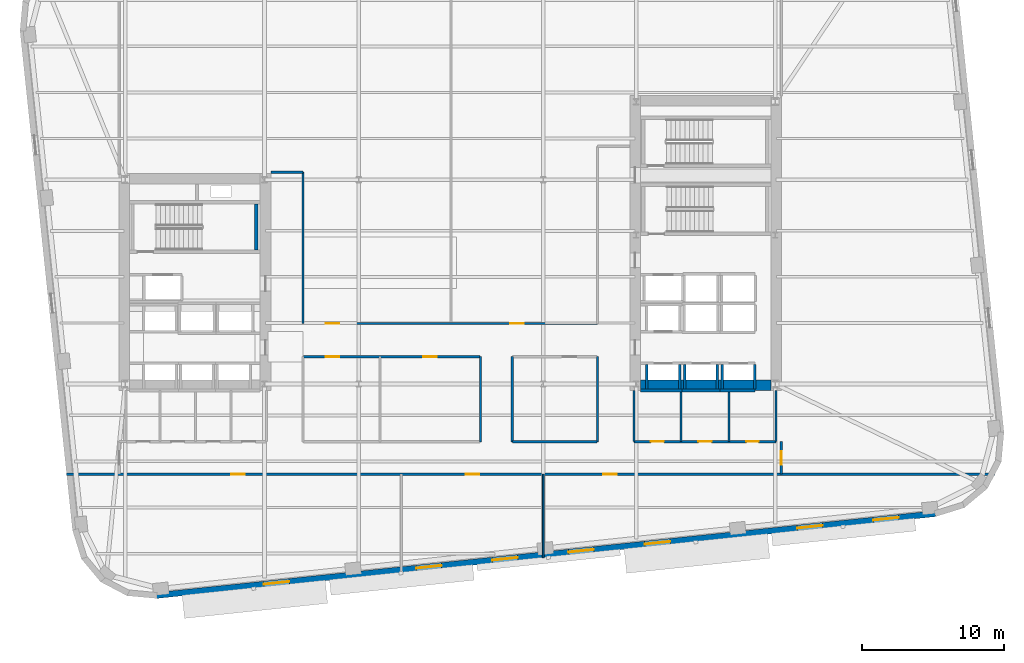
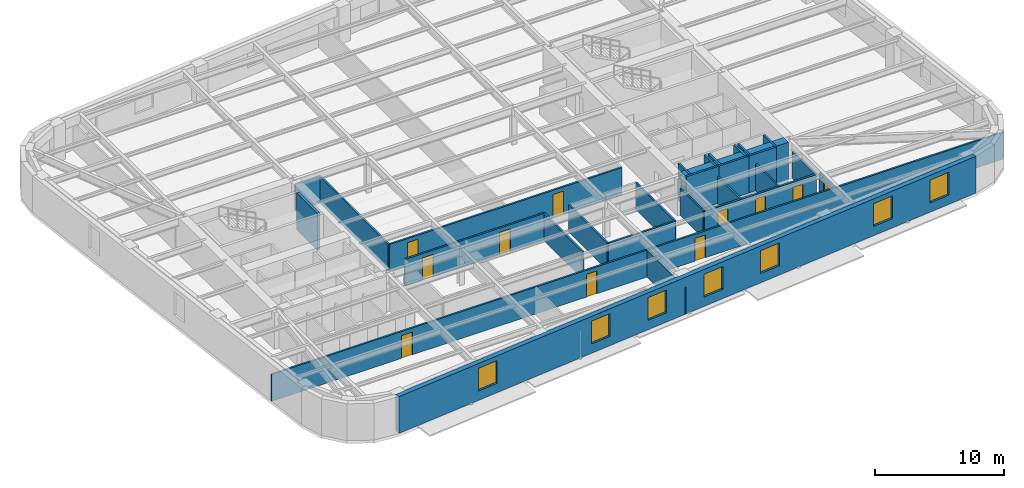
# One storey, part 5 of 12: 28 walls, 11 doors, 7 windows, 18 openings.
"""IFC4 building model written with IfcOpenShell, lengths in metres."""

from ifc_helpers import new_model, si_unit, direction, frame, frame_2d, origin, place, context, subcontext, project, spatial, rectangle, extrude, material, layer, layer_set, type_object, element, fill, save


model = new_model("IFC4")

# Units and contexts
model_context = context("Model", 3, precision=1e-05, world=origin(), true_north=direction((0.0, 1.0)))
body_context = subcontext(model_context, "Body", "Model", "MODEL_VIEW")
ifc_project = project(units=[si_unit("LENGTHUNIT", "METRE"), si_unit("AREAUNIT", "SQUARE_METRE"), si_unit("VOLUMEUNIT", "CUBIC_METRE"), si_unit("PLANEANGLEUNIT", "RADIAN"), si_unit("MASSUNIT", "GRAM", prefix="KILO")], contexts=[model_context])

# Site, building, storey
site_placement = place(None, origin())
site = spatial("IfcSite", under=ifc_project, at=site_placement, CompositionType="ELEMENT")
building_placement = place(site_placement, origin())
building = spatial("IfcBuilding", under=site, at=building_placement, Name="Kolvaren Arena Tower", CompositionType="ELEMENT")
storey_placement = place(building_placement, frame((0.0, 0.0, 110.949951171875)))
storey = spatial("IfcBuildingStorey", under=building, at=storey_placement, Name="L25", CompositionType="ELEMENT", Elevation=110.949951171875)

# Wall, openings, doors
ifc_material_1 = material(Name="Gypsum board acoustic assembly", Category="gypsum")
ifc_layer_1 = layer(ifc_material_1, 0.159912109375)
ifc_layer_set_1 = layer_set([ifc_layer_1], Name="Gypsum board acoustic assembly")
wall_type_1 = type_object("IfcWallType", Name="CORR-160", PredefinedType="PARTITIONING", material=ifc_layer_set_1)
wall_1_placement = place(storey_placement, frame((10.41552734375, 13.10009765625, 0.0), z_axis=(0.0, 0.0, 1.0), x_axis=(1.0, 0.0, 0.0)))
wall_1 = element("IfcWall", 1, at=wall_1_placement, inside=storey, type_object=wall_type_1, Name="Interior Partition Wall (L25)", PredefinedType="PARTITIONING", context=body_context, shape_type="SweptSolid", body=[
    extrude(rectangle(XDim=65.414794921875, YDim=0.159912109375, at=frame_2d((32.70751953125, 0.0))), origin(), (0.0, 0.0, 1.0), 2.5400390625),
])
opening_1_placement = place(wall_1_placement, frame((11.609619140625, 0.0, 0.0)))
opening_1 = element("IfcOpeningElement", 2, at=opening_1_placement, cuts=wall_1, Name="Opening D05", PredefinedType="OPENING", context=body_context, shape_type="SweptSolid", body=[
    extrude(rectangle(XDim=0.949951171875, YDim=2.14990234375, at=frame_2d((0.47509765625, 1.074951171875))), frame((0.0, 0.08984375, 0.0), z_axis=(0.0, -1.0, 0.0), x_axis=(1.0, 0.0, 0.0)), (0.0, 0.0, 1.0), 0.179931640625),
])
opening_2_placement = place(wall_1_placement, frame((28.109619140625, 0.0, 0.0)))
opening_2 = element("IfcOpeningElement", 3, at=opening_2_placement, cuts=wall_1, Name="Opening D05", PredefinedType="OPENING", context=body_context, shape_type="SweptSolid", body=[
    extrude(rectangle(XDim=0.949951171875, YDim=2.14990234375, at=frame_2d((0.47509765625, 1.074951171875))), frame((0.0, 0.08984375, 0.0), z_axis=(0.0, -1.0, 0.0), x_axis=(1.0, 0.0, 0.0)), (0.0, 0.0, 1.0), 0.179931640625),
])
opening_3_placement = place(wall_1_placement, frame((37.8095703125, 0.0, 0.0)))
opening_3 = element("IfcOpeningElement", 4, at=opening_3_placement, cuts=wall_1, Name="Opening D05", PredefinedType="OPENING", context=body_context, shape_type="SweptSolid", body=[
    extrude(rectangle(XDim=0.949951171875, YDim=2.14990234375, at=frame_2d((0.47509765625, 1.074951171875))), frame((0.0, 0.08984375, 0.0), z_axis=(0.0, -1.0, 0.0), x_axis=(1.0, 0.0, 0.0)), (0.0, 0.0, 1.0), 0.179931640625),
])
ifc_material_2 = material(Name="Solid-core oak acoustic office door", Category="wood")
door_type_1 = type_object("IfcDoorType", Name="DOOR-OF-095", OperationType="NOTDEFINED", PredefinedType="DOOR", material=ifc_material_2)
door_1_placement = place(opening_1_placement, origin())
door_1 = element("IfcDoor", 5, at=door_1_placement, inside=storey, type_object=door_type_1, Name="Open Plan Office Door (L25)", OperationType="SINGLE_SWING_LEFT", OverallHeight=2.14990234375, OverallWidth=0.949951171875, PredefinedType="DOOR", context=body_context, shape_type="SweptSolid", body=[
    extrude(rectangle(XDim=0.949951171875, YDim=2.14990234375, at=frame_2d((0.47509765625, 1.074951171875))), frame((0.0, 0.02490234375, 0.0), z_axis=(0.0, -1.0, 0.0), x_axis=(1.0, 0.0, 0.0)), (0.0, 0.0, 1.0), 0.050048828125),
])
fill(opening_1, door_1)
door_2_placement = place(opening_2_placement, origin())
door_2 = element("IfcDoor", 6, at=door_2_placement, inside=storey, type_object=door_type_1, Name="Design Studio Door (L25)", OperationType="SINGLE_SWING_RIGHT", OverallHeight=2.14990234375, OverallWidth=0.949951171875, PredefinedType="DOOR", context=body_context, shape_type="SweptSolid", body=[
    extrude(rectangle(XDim=0.949951171875, YDim=2.14990234375, at=frame_2d((0.47509765625, 1.074951171875))), frame((0.0, 0.02490234375, 0.0), z_axis=(0.0, -1.0, 0.0), x_axis=(1.0, 0.0, 0.0)), (0.0, 0.0, 1.0), 0.050048828125),
])
fill(opening_2, door_2)
door_3_placement = place(opening_3_placement, origin())
door_3 = element("IfcDoor", 7, at=door_3_placement, inside=storey, type_object=door_type_1, Name="Open Plan Office Door (L25)", OperationType="SINGLE_SWING_LEFT", OverallHeight=2.14990234375, OverallWidth=0.949951171875, PredefinedType="DOOR", context=body_context, shape_type="SweptSolid", body=[
    extrude(rectangle(XDim=0.949951171875, YDim=2.14990234375, at=frame_2d((0.47509765625, 1.074951171875))), frame((0.0, 0.02490234375, 0.0), z_axis=(0.0, -1.0, 0.0), x_axis=(1.0, 0.0, 0.0)), (0.0, 0.0, 1.0), 0.050048828125),
])
fill(opening_3, door_3)

wall_2_placement = place(storey_placement, frame((27.080078125, 23.719970703125, 0.0), z_axis=(0.0, 0.0, 1.0), x_axis=(1.0, 0.0, 0.0)))
wall_2 = element("IfcWall", 8, at=wall_2_placement, inside=storey, type_object=wall_type_1, Name="Interior Partition Wall (L25)", PredefinedType="PARTITIONING", context=body_context, shape_type="SweptSolid", body=[
    extrude(rectangle(XDim=20.739990234375, YDim=0.159912109375, at=frame_2d((10.3701171875, 0.0))), origin(), (0.0, 0.0, 1.0), 2.5400390625),
])
opening_4_placement = place(wall_2_placement, frame((1.594970703125, 0.0, 0.0)))
opening_4 = element("IfcOpeningElement", 9, at=opening_4_placement, cuts=wall_2, Name="Opening D05", PredefinedType="OPENING", context=body_context, shape_type="SweptSolid", body=[
    extrude(rectangle(XDim=0.949951171875, YDim=2.14990234375, at=frame_2d((0.47509765625, 1.074951171875))), frame((0.0, 0.08984375, 0.0), z_axis=(0.0, -1.0, 0.0), x_axis=(1.0, 0.0, 0.0)), (0.0, 0.0, 1.0), 0.179931640625),
])
opening_5_placement = place(wall_2_placement, frame((14.594970703125, 0.0, 0.0)))
opening_5 = element("IfcOpeningElement", 10, at=opening_5_placement, cuts=wall_2, Name="Opening D05", PredefinedType="OPENING", context=body_context, shape_type="SweptSolid", body=[
    extrude(rectangle(XDim=0.949951171875, YDim=2.14990234375, at=frame_2d((0.47509765625, 1.074951171875))), frame((0.0, 0.08984375, 0.0), z_axis=(0.0, -1.0, 0.0), x_axis=(1.0, 0.0, 0.0)), (0.0, 0.0, 1.0), 0.179931640625),
])
door_4_placement = place(opening_4_placement, origin())
door_4 = element("IfcDoor", 11, at=door_4_placement, inside=storey, type_object=door_type_1, Name="Corporate Project Office Door (L25)", OperationType="SINGLE_SWING_RIGHT", OverallHeight=2.14990234375, OverallWidth=0.949951171875, PredefinedType="DOOR", context=body_context, shape_type="SweptSolid", body=[
    extrude(rectangle(XDim=0.949951171875, YDim=2.14990234375, at=frame_2d((0.47509765625, 1.074951171875))), frame((0.0, 0.02490234375, 0.0), z_axis=(0.0, -1.0, 0.0), x_axis=(1.0, 0.0, 0.0)), (0.0, 0.0, 1.0), 0.050048828125),
])
fill(opening_4, door_4)
door_5_placement = place(opening_5_placement, origin())
door_5 = element("IfcDoor", 12, at=door_5_placement, inside=storey, type_object=door_type_1, Name="Breakout Pantry and Kitchen Door (L25)", OperationType="SINGLE_SWING_LEFT", OverallHeight=2.14990234375, OverallWidth=0.949951171875, PredefinedType="DOOR", context=body_context, shape_type="SweptSolid", body=[
    extrude(rectangle(XDim=0.949951171875, YDim=2.14990234375, at=frame_2d((0.47509765625, 1.074951171875))), frame((0.0, 0.02490234375, 0.0), z_axis=(0.0, -1.0, 0.0), x_axis=(1.0, 0.0, 0.0)), (0.0, 0.0, 1.0), 0.050048828125),
])
fill(opening_5, door_5)

# Walls
wall_3_placement = place(storey_placement, frame((27.080078125, 23.719970703125, 0.0), z_axis=(0.0, 0.0, 1.0), x_axis=(0.0, 1.0, 0.0)))
element("IfcWall", 13, at=wall_3_placement, inside=storey, type_object=wall_type_1, Name="Interior Partition Wall (L25)", PredefinedType="PARTITIONING", context=body_context, shape_type="SweptSolid", body=[
    extrude(rectangle(XDim=10.659912109375, YDim=0.159912109375, at=frame_2d((5.330078125, 0.0))), origin(), (0.0, 0.0, 1.0), 2.5400390625),
])
wall_4_placement = place(storey_placement, frame((24.820068359375, 34.3798828125, 0.0), z_axis=(0.0, 0.0, 1.0), x_axis=(1.0, 0.0, 0.0)))
element("IfcWall", 14, at=wall_4_placement, inside=storey, type_object=wall_type_1, Name="Interior Partition Wall (L25)", PredefinedType="PARTITIONING", context=body_context, shape_type="SweptSolid", body=[
    extrude(rectangle(XDim=2.260009765625, YDim=0.159912109375, at=frame_2d((1.1298828125, 0.0))), origin(), (0.0, 0.0, 1.0), 2.5400390625),
])

# Wall, openings, doors
wall_5_placement = place(storey_placement, frame((27.10009765625, 21.3798828125, 0.0), z_axis=(0.0, 0.0, 1.0), x_axis=(1.0, 0.0, 0.0)))
wall_5 = element("IfcWall", 15, at=wall_5_placement, inside=storey, type_object=wall_type_1, Name="Interior Partition Wall (L25)", PredefinedType="PARTITIONING", context=body_context, shape_type="SweptSolid", body=[
    extrude(rectangle(XDim=12.4599609375, YDim=0.159912109375, at=frame_2d((6.22998046875, 0.0))), origin(), (0.0, 0.0, 1.0), 2.5400390625),
])
opening_6_placement = place(wall_5_placement, frame((1.574951171875, 0.0, 0.0)))
opening_6 = element("IfcOpeningElement", 16, at=opening_6_placement, cuts=wall_5, Name="Opening D05", PredefinedType="OPENING", context=body_context, shape_type="SweptSolid", body=[
    extrude(rectangle(XDim=0.949951171875, YDim=2.14990234375, at=frame_2d((0.47509765625, 1.074951171875))), frame((0.0, 0.08984375, 0.0), z_axis=(0.0, -1.0, 0.0), x_axis=(1.0, 0.0, 0.0)), (0.0, 0.0, 1.0), 0.179931640625),
])
opening_7_placement = place(wall_5_placement, frame((8.455078125, 0.0, 0.0)))
opening_7 = element("IfcOpeningElement", 17, at=opening_7_placement, cuts=wall_5, Name="Opening D05", PredefinedType="OPENING", context=body_context, shape_type="SweptSolid", body=[
    extrude(rectangle(XDim=0.949951171875, YDim=2.14990234375, at=frame_2d((0.47509765625, 1.074951171875))), frame((0.0, 0.08984375, 0.0), z_axis=(0.0, -1.0, 0.0), x_axis=(1.0, 0.0, 0.0)), (0.0, 0.0, 1.0), 0.179931640625),
])
door_6_placement = place(opening_6_placement, origin())
door_6 = element("IfcDoor", 18, at=door_6_placement, inside=storey, type_object=door_type_1, Name="Meeting Room Door (L25)", OperationType="SINGLE_SWING_RIGHT", OverallHeight=2.14990234375, OverallWidth=0.949951171875, PredefinedType="DOOR", context=body_context, shape_type="SweptSolid", body=[
    extrude(rectangle(XDim=0.949951171875, YDim=2.14990234375, at=frame_2d((0.47509765625, 1.074951171875))), frame((0.0, 0.02490234375, 0.0), z_axis=(0.0, -1.0, 0.0), x_axis=(1.0, 0.0, 0.0)), (0.0, 0.0, 1.0), 0.050048828125),
])
fill(opening_6, door_6)
door_7_placement = place(opening_7_placement, origin())
door_7 = element("IfcDoor", 19, at=door_7_placement, inside=storey, type_object=door_type_1, Name="Open Plan Office Door (L25)", OperationType="SINGLE_SWING_LEFT", OverallHeight=2.14990234375, OverallWidth=0.949951171875, PredefinedType="DOOR", context=body_context, shape_type="SweptSolid", body=[
    extrude(rectangle(XDim=0.949951171875, YDim=2.14990234375, at=frame_2d((0.47509765625, 1.074951171875))), frame((0.0, 0.02490234375, 0.0), z_axis=(0.0, -1.0, 0.0), x_axis=(1.0, 0.0, 0.0)), (0.0, 0.0, 1.0), 0.050048828125),
])
fill(opening_7, door_7)

# Walls
wall_6_placement = place(storey_placement, frame((41.840087890625, 15.3798828125, 0.0), z_axis=(0.0, 0.0, 1.0), x_axis=(1.0, 0.0, 0.0)))
element("IfcWall", 20, at=wall_6_placement, inside=storey, type_object=wall_type_1, Name="Interior Partition Wall (L25)", PredefinedType="PARTITIONING", context=body_context, shape_type="SweptSolid", body=[
    extrude(rectangle(XDim=5.9599609375, YDim=0.159912109375, at=frame_2d((2.97998046875, 0.0))), origin(), (0.0, 0.0, 1.0), 2.5400390625),
])
for number, where, z_axis, x_axis, name in (
    (21, (39.580078125, 15.3798828125, 0.0), (0.0, 0.0, 1.0), (0.0, 1.0, 0.0), "Interior Partition Wall (L25)"),
    (22, (41.820068359375, 15.3798828125, 0.0), (0.0, 0.0, 1.0), (0.0, 1.0, 0.0), "Interior Partition Wall (L25)"),
    (23, (47.820068359375, 15.3798828125, 0.0), (0.0, 0.0, 1.0), (0.0, 1.0, 0.0), "Interior Partition Wall (L25)"),
):
    element("IfcWall", number, at=place(storey_placement, frame(where, z_axis=z_axis, x_axis=x_axis)), inside=storey, type_object=wall_type_1, Name=name, PredefinedType="PARTITIONING", context=body_context, shape_type="SweptSolid", body=[
        extrude(rectangle(XDim=6.0, YDim=0.159912109375, at=frame_2d((3.0, 0.0))), origin(), (0.0, 0.0, 1.0), 2.5400390625),
    ])

# Wall, opening, door
wall_7_placement = place(storey_placement, frame((60.780029296875, 13.10009765625, 0.0), z_axis=(0.0, 0.0, 1.0), x_axis=(0.0, 1.0, 0.0)))
wall_7 = element("IfcWall", 24, at=wall_7_placement, inside=storey, type_object=wall_type_1, Name="Interior Partition Wall (L25)", PredefinedType="PARTITIONING", context=body_context, shape_type="SweptSolid", body=[
    extrude(rectangle(XDim=2.2998046875, YDim=0.159912109375, at=frame_2d((1.14990234375, 0.0))), origin(), (0.0, 0.0, 1.0), 2.5400390625),
])
opening_8_placement = place(wall_7_placement, frame((0.64990234375, 0.0, 0.0)))
opening_8 = element("IfcOpeningElement", 25, at=opening_8_placement, cuts=wall_7, Name="Opening D05", PredefinedType="OPENING", context=body_context, shape_type="SweptSolid", body=[
    extrude(rectangle(XDim=0.949951171875, YDim=2.14990234375, at=frame_2d((0.47509765625, 1.074951171875))), frame((0.0, 0.08984375, 0.0), z_axis=(0.0, -1.0, 0.0), x_axis=(1.0, 0.0, 0.0)), (0.0, 0.0, 1.0), 0.179931640625),
])
door_8_placement = place(opening_8_placement, origin())
door_8 = element("IfcDoor", 26, at=door_8_placement, inside=storey, type_object=door_type_1, Name="East Wing Studio Door (L25)", OperationType="SINGLE_SWING_RIGHT", OverallHeight=2.14990234375, OverallWidth=0.949951171875, PredefinedType="DOOR", context=body_context, shape_type="SweptSolid", body=[
    extrude(rectangle(XDim=0.949951171875, YDim=2.14990234375, at=frame_2d((0.47509765625, 1.074951171875))), frame((0.0, 0.02490234375, 0.0), z_axis=(0.0, -1.0, 0.0), x_axis=(1.0, 0.0, 0.0)), (0.0, 0.0, 1.0), 0.050048828125),
])
fill(opening_8, door_8)

# Wall
ifc_material_3 = material(Name="Concrete 70 MPa", Category="concrete")
ifc_layer_2 = layer(ifc_material_3, 0.75)
ifc_layer_set_2 = layer_set([ifc_layer_2], Name="Concrete 70 MPa")
wall_type_2 = type_object("IfcWallType", Name="CWALL-750", PredefinedType="SHEAR", material=ifc_layer_set_2)
wall_8_placement = place(storey_placement, frame((50.85009765625, 19.375, -0.27001953125), z_axis=(0.0, 0.0, 1.0), x_axis=(1.0, 0.0, 0.0)))
element("IfcWall", 27, at=wall_8_placement, inside=storey, type_object=wall_type_2, Name="Core Shear Wall EC-SOUTH (L25)", PredefinedType="SHEAR", context=body_context, shape_type="SweptSolid", body=[
    extrude(rectangle(XDim=9.199951171875, YDim=0.75, at=frame_2d((4.60009765625, 0.0))), origin(), (0.0, 0.0, 1.0), 3.75),
])

# Wall, openings, windows
ifc_material_4 = material(Name="Precast concrete C50/60", Category="concrete")
ifc_layer_3 = layer(ifc_material_4, 0.419921875)
ifc_layer_set_3 = layer_set([ifc_layer_3], Name="Precast concrete C50/60")
wall_type_3 = type_object("IfcWallType", Name="EXT-PIER1", PredefinedType="SOLIDWALL", material=ifc_layer_set_3)
wall_9_placement = place(storey_placement, frame((71.641357421875, 10.3203125, 0.0), z_axis=(0.0, 0.0, 1.0), x_axis=(-0.994521775062, -0.104529607897, 0.0)))
wall_9 = element("IfcWall", 28, at=wall_9_placement, inside=storey, type_object=wall_type_3, Name="Exterior Precast Masonry-Frame Wall (L25)", PredefinedType="SOLIDWALL", context=body_context, shape_type="SweptSolid", body=[
    extrude(rectangle(XDim=55.199951171875, YDim=0.419921875, at=frame_2d((27.60009765625, 0.0))), origin(), (0.0, 0.0, 1.0), 3.47998046875),
])
opening_9_placement = place(wall_9_placement, frame((2.60009765625, 0.0, 0.8798828125)))
opening_9 = element("IfcOpeningElement", 29, at=opening_9_placement, cuts=wall_9, Name="Opening W02", PredefinedType="OPENING", context=body_context, shape_type="SweptSolid", body=[
    extrude(rectangle(XDim=1.800048828125, YDim=2.14990234375, at=frame_2d((0.89990234375, 1.074951171875))), frame((0.0, 0.219970703125, 0.0), z_axis=(0.0, -1.0, 0.0), x_axis=(1.0, 0.0, 0.0)), (0.0, 0.0, 1.0), 0.43994140625),
])
opening_10_placement = place(wall_9_placement, frame((8.0, 0.0, 0.8798828125)))
opening_10 = element("IfcOpeningElement", 30, at=opening_10_placement, cuts=wall_9, Name="Opening W02", PredefinedType="OPENING", context=body_context, shape_type="SweptSolid", body=[
    extrude(rectangle(XDim=1.800048828125, YDim=2.14990234375, at=frame_2d((0.89990234375, 1.074951171875))), frame((0.0, 0.219970703125, 0.0), z_axis=(0.0, -1.0, 0.0), x_axis=(1.0, 0.0, 0.0)), (0.0, 0.0, 1.0), 0.43994140625),
])
opening_11_placement = place(wall_9_placement, frame((18.800048828125, 0.0, 0.8798828125)))
opening_11 = element("IfcOpeningElement", 31, at=opening_11_placement, cuts=wall_9, Name="Opening W02", PredefinedType="OPENING", context=body_context, shape_type="SweptSolid", body=[
    extrude(rectangle(XDim=1.800048828125, YDim=2.14990234375, at=frame_2d((0.89990234375, 1.074951171875))), frame((0.0, 0.219970703125, 0.0), z_axis=(0.0, -1.0, 0.0), x_axis=(1.0, 0.0, 0.0)), (0.0, 0.0, 1.0), 0.43994140625),
])
opening_12_placement = place(wall_9_placement, frame((24.199951171875, 0.0, 0.8798828125)))
opening_12 = element("IfcOpeningElement", 32, at=opening_12_placement, cuts=wall_9, Name="Opening W02", PredefinedType="OPENING", context=body_context, shape_type="SweptSolid", body=[
    extrude(rectangle(XDim=1.800048828125, YDim=2.14990234375, at=frame_2d((0.89990234375, 1.074951171875))), frame((0.0, 0.219970703125, 0.0), z_axis=(0.0, -1.0, 0.0), x_axis=(1.0, 0.0, 0.0)), (0.0, 0.0, 1.0), 0.43994140625),
])
opening_13_placement = place(wall_9_placement, frame((29.60009765625, 0.0, 0.8798828125)))
opening_13 = element("IfcOpeningElement", 33, at=opening_13_placement, cuts=wall_9, Name="Opening W02", PredefinedType="OPENING", context=body_context, shape_type="SweptSolid", body=[
    extrude(rectangle(XDim=1.800048828125, YDim=2.14990234375, at=frame_2d((0.89990234375, 1.074951171875))), frame((0.0, 0.219970703125, 0.0), z_axis=(0.0, -1.0, 0.0), x_axis=(1.0, 0.0, 0.0)), (0.0, 0.0, 1.0), 0.43994140625),
])
opening_14_placement = place(wall_9_placement, frame((35.0, 0.0, 0.8798828125)))
opening_14 = element("IfcOpeningElement", 34, at=opening_14_placement, cuts=wall_9, Name="Opening W02", PredefinedType="OPENING", context=body_context, shape_type="SweptSolid", body=[
    extrude(rectangle(XDim=1.800048828125, YDim=2.14990234375, at=frame_2d((0.89990234375, 1.074951171875))), frame((0.0, 0.219970703125, 0.0), z_axis=(0.0, -1.0, 0.0), x_axis=(1.0, 0.0, 0.0)), (0.0, 0.0, 1.0), 0.43994140625),
])
opening_15_placement = place(wall_9_placement, frame((45.800048828125, 0.0, 0.8798828125)))
opening_15 = element("IfcOpeningElement", 35, at=opening_15_placement, cuts=wall_9, Name="Opening W02", PredefinedType="OPENING", context=body_context, shape_type="SweptSolid", body=[
    extrude(rectangle(XDim=1.800048828125, YDim=2.14990234375, at=frame_2d((0.89990234375, 1.074951171875))), frame((0.0, 0.219970703125, 0.0), z_axis=(0.0, -1.0, 0.0), x_axis=(1.0, 0.0, 0.0)), (0.0, 0.0, 1.0), 0.43994140625),
])
ifc_material_5 = material(Name="Triple-glazed low-E aluminium window", Category="aluminium")
window_type = type_object("IfcWindowType", Name="WIN-OFF-B", PartitioningType="DOUBLE_PANEL_VERTICAL", PredefinedType="WINDOW", material=ifc_material_5)
window_1_placement = place(opening_9_placement, origin())
window_1 = element("IfcWindow", 36, at=window_1_placement, inside=storey, type_object=window_type, Name="Punched Precast-Pier Window (L25)", OverallHeight=2.14990234375, OverallWidth=1.800048828125, PartitioningType="DOUBLE_PANEL_VERTICAL", PredefinedType="WINDOW", context=body_context, shape_type="SweptSolid", body=[
    extrude(rectangle(XDim=1.800048828125, YDim=2.14990234375, at=frame_2d((0.89990234375, 1.074951171875))), frame((0.0, 0.030029296875, 0.0), z_axis=(0.0, -1.0, 0.0), x_axis=(1.0, 0.0, 0.0)), (0.0, 0.0, 1.0), 0.06005859375),
])
fill(opening_9, window_1)
window_2_placement = place(opening_10_placement, origin())
window_2 = element("IfcWindow", 37, at=window_2_placement, inside=storey, type_object=window_type, Name="Punched Precast-Pier Window (L25)", OverallHeight=2.14990234375, OverallWidth=1.800048828125, PartitioningType="DOUBLE_PANEL_VERTICAL", PredefinedType="WINDOW", context=body_context, shape_type="SweptSolid", body=[
    extrude(rectangle(XDim=1.800048828125, YDim=2.14990234375, at=frame_2d((0.89990234375, 1.074951171875))), frame((0.0, 0.030029296875, 0.0), z_axis=(0.0, -1.0, 0.0), x_axis=(1.0, 0.0, 0.0)), (0.0, 0.0, 1.0), 0.06005859375),
])
fill(opening_10, window_2)
window_3_placement = place(opening_11_placement, origin())
window_3 = element("IfcWindow", 38, at=window_3_placement, inside=storey, type_object=window_type, Name="Punched Precast-Pier Window (L25)", OverallHeight=2.14990234375, OverallWidth=1.800048828125, PartitioningType="DOUBLE_PANEL_VERTICAL", PredefinedType="WINDOW", context=body_context, shape_type="SweptSolid", body=[
    extrude(rectangle(XDim=1.800048828125, YDim=2.14990234375, at=frame_2d((0.89990234375, 1.074951171875))), frame((0.0, 0.030029296875, 0.0), z_axis=(0.0, -1.0, 0.0), x_axis=(1.0, 0.0, 0.0)), (0.0, 0.0, 1.0), 0.06005859375),
])
fill(opening_11, window_3)
window_4_placement = place(opening_12_placement, origin())
window_4 = element("IfcWindow", 39, at=window_4_placement, inside=storey, type_object=window_type, Name="Punched Precast-Pier Window (L25)", OverallHeight=2.14990234375, OverallWidth=1.800048828125, PartitioningType="DOUBLE_PANEL_VERTICAL", PredefinedType="WINDOW", context=body_context, shape_type="SweptSolid", body=[
    extrude(rectangle(XDim=1.800048828125, YDim=2.14990234375, at=frame_2d((0.89990234375, 1.074951171875))), frame((0.0, 0.030029296875, 0.0), z_axis=(0.0, -1.0, 0.0), x_axis=(1.0, 0.0, 0.0)), (0.0, 0.0, 1.0), 0.06005859375),
])
fill(opening_12, window_4)
window_5_placement = place(opening_13_placement, origin())
window_5 = element("IfcWindow", 40, at=window_5_placement, inside=storey, type_object=window_type, Name="Punched Precast-Pier Window (L25)", OverallHeight=2.14990234375, OverallWidth=1.800048828125, PartitioningType="DOUBLE_PANEL_VERTICAL", PredefinedType="WINDOW", context=body_context, shape_type="SweptSolid", body=[
    extrude(rectangle(XDim=1.800048828125, YDim=2.14990234375, at=frame_2d((0.89990234375, 1.074951171875))), frame((0.0, 0.030029296875, 0.0), z_axis=(0.0, -1.0, 0.0), x_axis=(1.0, 0.0, 0.0)), (0.0, 0.0, 1.0), 0.06005859375),
])
fill(opening_13, window_5)
window_6_placement = place(opening_14_placement, origin())
window_6 = element("IfcWindow", 41, at=window_6_placement, inside=storey, type_object=window_type, Name="Punched Precast-Pier Window (L25)", OverallHeight=2.14990234375, OverallWidth=1.800048828125, PartitioningType="DOUBLE_PANEL_VERTICAL", PredefinedType="WINDOW", context=body_context, shape_type="SweptSolid", body=[
    extrude(rectangle(XDim=1.800048828125, YDim=2.14990234375, at=frame_2d((0.89990234375, 1.074951171875))), frame((0.0, 0.030029296875, 0.0), z_axis=(0.0, -1.0, 0.0), x_axis=(1.0, 0.0, 0.0)), (0.0, 0.0, 1.0), 0.06005859375),
])
fill(opening_14, window_6)
window_7_placement = place(opening_15_placement, origin())
window_7 = element("IfcWindow", 42, at=window_7_placement, inside=storey, type_object=window_type, Name="Punched Precast-Pier Window (L25)", OverallHeight=2.14990234375, OverallWidth=1.800048828125, PartitioningType="DOUBLE_PANEL_VERTICAL", PredefinedType="WINDOW", context=body_context, shape_type="SweptSolid", body=[
    extrude(rectangle(XDim=1.800048828125, YDim=2.14990234375, at=frame_2d((0.89990234375, 1.074951171875))), frame((0.0, 0.030029296875, 0.0), z_axis=(0.0, -1.0, 0.0), x_axis=(1.0, 0.0, 0.0)), (0.0, 0.0, 1.0), 0.06005859375),
])
fill(opening_15, window_7)

# Walls
ifc_material_6 = material(Name="Gypsum board partition assembly", Category="gypsum")
ifc_layer_4 = layer(ifc_material_6, 0.135009765625)
ifc_layer_set_4 = layer_set([ifc_layer_4], Name="Gypsum board partition assembly")
wall_type_4 = type_object("IfcWallType", Name="PART-135", PredefinedType="PARTITIONING", material=ifc_layer_set_4)
wall_10_placement = place(storey_placement, frame((44.0, 7.2041015625, 0.0), z_axis=(0.0, 0.0, 1.0), x_axis=(0.0, 1.0, 0.0)))
element("IfcWall", 43, at=wall_10_placement, inside=storey, type_object=wall_type_4, Name="Interior Partition Wall (L25)", PredefinedType="PARTITIONING", context=body_context, shape_type="SweptSolid", body=[
    extrude(rectangle(XDim=5.89599609375, YDim=0.135009765625, at=frame_2d((2.947998046875, 0.0))), origin(), (0.0, 0.0, 1.0), 2.5400390625),
])
ifc_material_7 = material(Name="Concrete 45 MPa", Category="concrete")
ifc_layer_5 = layer(ifc_material_7, 0.25)
ifc_layer_set_5 = layer_set([ifc_layer_5], Name="Concrete 45 MPa")
wall_type_5 = type_object("IfcWallType", Name="SHAFT-250", PredefinedType="SOLIDWALL", material=ifc_layer_set_5)
wall_11_placement = place(storey_placement, frame((23.780029296875, 28.89990234375, 0.0), z_axis=(0.0, 0.0, 1.0), x_axis=(0.0, 1.0, 0.0)))
element("IfcWall", 44, at=wall_11_placement, inside=storey, type_object=wall_type_5, Name="Core Shaft Wall (L25)", PredefinedType="SOLIDWALL", context=body_context, shape_type="SweptSolid", body=[
    extrude(rectangle(XDim=3.22998046875, YDim=0.239990234375, at=frame_2d((1.614990234375, 0.0))), origin(), (0.0, 0.0, 1.0), 3.47998046875),
])
wall_12_placement = place(storey_placement, frame((50.85009765625, 18.9951171875, 0.0), z_axis=(0.0, 0.0, 1.0), x_axis=(1.0, 0.0, 0.0)))
element("IfcWall", 45, at=wall_12_placement, inside=storey, type_object=wall_type_5, Name="Core Shaft Wall (L25)", PredefinedType="SOLIDWALL", context=body_context, shape_type="SweptSolid", body=[
    extrude(rectangle(XDim=2.93994140625, YDim=0.179931640625, at=frame_2d((1.469970703125, 0.0))), origin(), (0.0, 0.0, 1.0), 3.47998046875),
])
for number, where, z_axis, x_axis, name in (
    (46, (51.304931640625, 19.0849609375, 0.0), (0.0, 0.0, 1.0), (0.0, 1.0, 0.0), "Core Shaft Wall (L25)"),
    (47, (53.614990234375, 19.0849609375, 0.0), (0.0, 0.0, 1.0), (0.0, 1.0, 0.0), "Core Shaft Wall (L25)"),
):
    element("IfcWall", number, at=place(storey_placement, frame(where, z_axis=z_axis, x_axis=x_axis)), inside=storey, type_object=wall_type_5, Name=name, PredefinedType="SOLIDWALL", context=body_context, shape_type="SweptSolid", body=[
        extrude(rectangle(XDim=1.72998046875, YDim=0.179931640625, at=frame_2d((0.864990234375, 0.0))), origin(), (0.0, 0.0, 1.0), 3.47998046875),
    ])
wall_13_placement = place(storey_placement, frame((53.7900390625, 18.9951171875, 0.0), z_axis=(0.0, 0.0, 1.0), x_axis=(1.0, 0.0, 0.0)))
element("IfcWall", 48, at=wall_13_placement, inside=storey, type_object=wall_type_5, Name="Core Shaft Wall (L25)", PredefinedType="SOLIDWALL", context=body_context, shape_type="SweptSolid", body=[
    extrude(rectangle(XDim=2.64990234375, YDim=0.179931640625, at=frame_2d((1.324951171875, 0.0))), origin(), (0.0, 0.0, 1.0), 3.47998046875),
])
for number, where, z_axis, x_axis, name in (
    (49, (53.965087890625, 19.0849609375, 0.0), (0.0, 0.0, 1.0), (0.0, 1.0, 0.0), "Core Shaft Wall (L25)"),
    (50, (56.27490234375, 19.0849609375, 0.0), (0.0, 0.0, 1.0), (0.0, 1.0, 0.0), "Core Shaft Wall (L25)"),
):
    element("IfcWall", number, at=place(storey_placement, frame(where, z_axis=z_axis, x_axis=x_axis)), inside=storey, type_object=wall_type_5, Name=name, PredefinedType="SOLIDWALL", context=body_context, shape_type="SweptSolid", body=[
        extrude(rectangle(XDim=1.72998046875, YDim=0.179931640625, at=frame_2d((0.864990234375, 0.0))), origin(), (0.0, 0.0, 1.0), 3.47998046875),
    ])
wall_14_placement = place(storey_placement, frame((56.43994140625, 18.9951171875, 0.0), z_axis=(0.0, 0.0, 1.0), x_axis=(1.0, 0.0, 0.0)))
element("IfcWall", 51, at=wall_14_placement, inside=storey, type_object=wall_type_5, Name="Core Shaft Wall (L25)", PredefinedType="SOLIDWALL", context=body_context, shape_type="SweptSolid", body=[
    extrude(rectangle(XDim=2.47509765625, YDim=0.179931640625, at=frame_2d((1.237548828125, 0.0))), origin(), (0.0, 0.0, 1.0), 3.47998046875),
])
for number, where, z_axis, x_axis, name in (
    (52, (56.60498046875, 19.0849609375, 0.0), (0.0, 0.0, 1.0), (0.0, 1.0, 0.0), "Core Shaft Wall (L25)"),
    (53, (58.9150390625, 19.0849609375, 0.0), (0.0, 0.0, 1.0), (0.0, 1.0, 0.0), "Core Shaft Wall (L25)"),
):
    element("IfcWall", number, at=place(storey_placement, frame(where, z_axis=z_axis, x_axis=x_axis)), inside=storey, type_object=wall_type_5, Name=name, PredefinedType="SOLIDWALL", context=body_context, shape_type="SweptSolid", body=[
        extrude(rectangle(XDim=1.72998046875, YDim=0.179931640625, at=frame_2d((0.864990234375, 0.0))), origin(), (0.0, 0.0, 1.0), 3.47998046875),
    ])

# Wall, openings, doors
wall_15_placement = place(storey_placement, frame((50.39990234375, 15.39990234375, 0.0), z_axis=(0.0, 0.0, 1.0), x_axis=(1.0, 0.0, 0.0)))
wall_15 = element("IfcWall", 54, at=wall_15_placement, inside=storey, type_object=wall_type_5, Name="Interior Partition Wall (L25)", PredefinedType="SOLIDWALL", context=body_context, shape_type="SweptSolid", body=[
    extrude(rectangle(XDim=10.0, YDim=0.179931640625, at=frame_2d((5.0, 0.0))), origin(), (0.0, 0.0, 1.0), 2.5400390625),
])
opening_16_placement = place(wall_15_placement, frame((1.18994140625, 0.0, 0.0)))
opening_16 = element("IfcOpeningElement", 55, at=opening_16_placement, cuts=wall_15, Name="Opening D07", PredefinedType="OPENING", context=body_context, shape_type="SweptSolid", body=[
    extrude(rectangle(XDim=0.919921875, YDim=2.10009765625, at=frame_2d((0.4599609375, 1.050048828125))), frame((0.0, 0.099853515625, 0.0), z_axis=(0.0, -1.0, 0.0), x_axis=(1.0, 0.0, 0.0)), (0.0, 0.0, 1.0), 0.199951171875),
])
opening_17_placement = place(wall_15_placement, frame((4.5400390625, 0.0, 0.0)))
opening_17 = element("IfcOpeningElement", 56, at=opening_17_placement, cuts=wall_15, Name="Opening D07", PredefinedType="OPENING", context=body_context, shape_type="SweptSolid", body=[
    extrude(rectangle(XDim=0.919921875, YDim=2.10009765625, at=frame_2d((0.4599609375, 1.050048828125))), frame((0.0, 0.099853515625, 0.0), z_axis=(0.0, -1.0, 0.0), x_axis=(1.0, 0.0, 0.0)), (0.0, 0.0, 1.0), 0.199951171875),
])
opening_18_placement = place(wall_15_placement, frame((7.919921875, 0.0, 0.0)))
opening_18 = element("IfcOpeningElement", 57, at=opening_18_placement, cuts=wall_15, Name="Opening D09", PredefinedType="OPENING", context=body_context, shape_type="SweptSolid", body=[
    extrude(rectangle(XDim=0.860107421875, YDim=2.050048828125, at=frame_2d((0.43017578125, 1.02490234375))), frame((0.0, 0.099853515625, 0.0), z_axis=(0.0, -1.0, 0.0), x_axis=(1.0, 0.0, 0.0)), (0.0, 0.0, 1.0), 0.199951171875),
])
ifc_material_8 = material(Name="Fire-rated steel riser access door", Category="steel")
door_type_2 = type_object("IfcDoorType", Name="DOOR-RS-086", OperationType="NOTDEFINED", PredefinedType="DOOR", material=ifc_material_8)
door_9_placement = place(opening_18_placement, origin())
door_9 = element("IfcDoor", 58, at=door_9_placement, inside=storey, type_object=door_type_2, Name="Mechanical Riser Closet Door (L25)", OperationType="SINGLE_SWING_LEFT", OverallHeight=2.050048828125, OverallWidth=0.860107421875, PredefinedType="DOOR", context=body_context, shape_type="SweptSolid", body=[
    extrude(rectangle(XDim=0.860107421875, YDim=2.050048828125, at=frame_2d((0.43017578125, 1.02490234375))), frame((0.0, 0.02490234375, 0.0), z_axis=(0.0, -1.0, 0.0), x_axis=(1.0, 0.0, 0.0)), (0.0, 0.0, 1.0), 0.050048828125),
])
fill(opening_18, door_9)
ifc_material_9 = material(Name="Laminate universal washroom door", Category="wood")
door_type_3 = type_object("IfcDoorType", Name="DOOR-WC-092", OperationType="NOTDEFINED", PredefinedType="DOOR", material=ifc_material_9)
door_10_placement = place(opening_16_placement, origin())
door_10 = element("IfcDoor", 59, at=door_10_placement, inside=storey, type_object=door_type_3, Name="Staff Pantry Door (L25)", OperationType="SINGLE_SWING_LEFT", OverallHeight=2.10009765625, OverallWidth=0.919921875, PredefinedType="DOOR", context=body_context, shape_type="SweptSolid", body=[
    extrude(rectangle(XDim=0.919921875, YDim=2.10009765625, at=frame_2d((0.4599609375, 1.050048828125))), frame((0.0, 0.02490234375, 0.0), z_axis=(0.0, -1.0, 0.0), x_axis=(1.0, 0.0, 0.0)), (0.0, 0.0, 1.0), 0.050048828125),
])
fill(opening_16, door_10)
door_11_placement = place(opening_17_placement, origin())
door_11 = element("IfcDoor", 60, at=door_11_placement, inside=storey, type_object=door_type_3, Name="Gender-Neutral Washroom Door (L25)", OperationType="SINGLE_SWING_RIGHT", OverallHeight=2.10009765625, OverallWidth=0.919921875, PredefinedType="DOOR", context=body_context, shape_type="SweptSolid", body=[
    extrude(rectangle(XDim=0.919921875, YDim=2.10009765625, at=frame_2d((0.4599609375, 1.050048828125))), frame((0.0, 0.02490234375, 0.0), z_axis=(0.0, -1.0, 0.0), x_axis=(1.0, 0.0, 0.0)), (0.0, 0.0, 1.0), 0.050048828125),
])
fill(opening_17, door_11)

# Walls
ifc_material_10 = material(Name="Moisture-resistant gypsum assembly", Category="gypsum")
ifc_layer_6 = layer(ifc_material_10, 0.14990234375)
ifc_layer_set_6 = layer_set([ifc_layer_6], Name="Moisture-resistant gypsum assembly")
wall_type_6 = type_object("IfcWallType", Name="WETW-150", PredefinedType="PARTITIONING", material=ifc_layer_set_6)
for number, where, z_axis, x_axis, name in (
    (61, (53.699951171875, 15.39990234375, 0.0), (0.0, 0.0, 1.0), (0.0, 1.0, 0.0), "Interior Partition Wall (L25)"),
    (62, (57.10009765625, 15.39990234375, 0.0), (0.0, 0.0, 1.0), (0.0, 1.0, 0.0), "Interior Partition Wall (L25)"),
    (63, (50.39990234375, 15.39990234375, 0.0), (0.0, 0.0, 1.0), (0.0, 1.0, 0.0), "Interior Partition Wall (L25)"),
    (64, (60.39990234375, 15.39990234375, 0.0), (0.0, 0.0, 1.0), (0.0, 1.0, 0.0), "Interior Partition Wall (L25)"),
):
    element("IfcWall", number, at=place(storey_placement, frame(where, z_axis=z_axis, x_axis=x_axis)), inside=storey, type_object=wall_type_6, Name=name, PredefinedType="PARTITIONING", context=body_context, shape_type="SweptSolid", body=[
        extrude(rectangle(XDim=3.580078125, YDim=0.14990234375, at=frame_2d((1.7900390625, 0.0))), origin(), (0.0, 0.0, 1.0), 2.5400390625),
    ])

save(model, "model.ifc")
